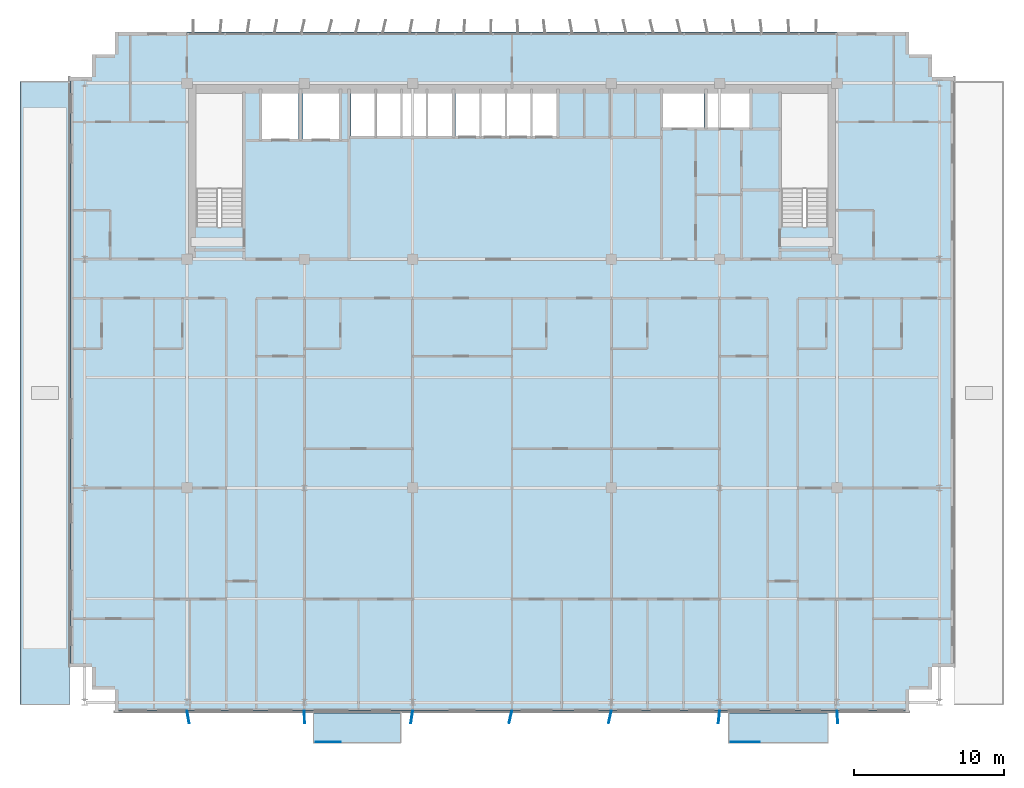
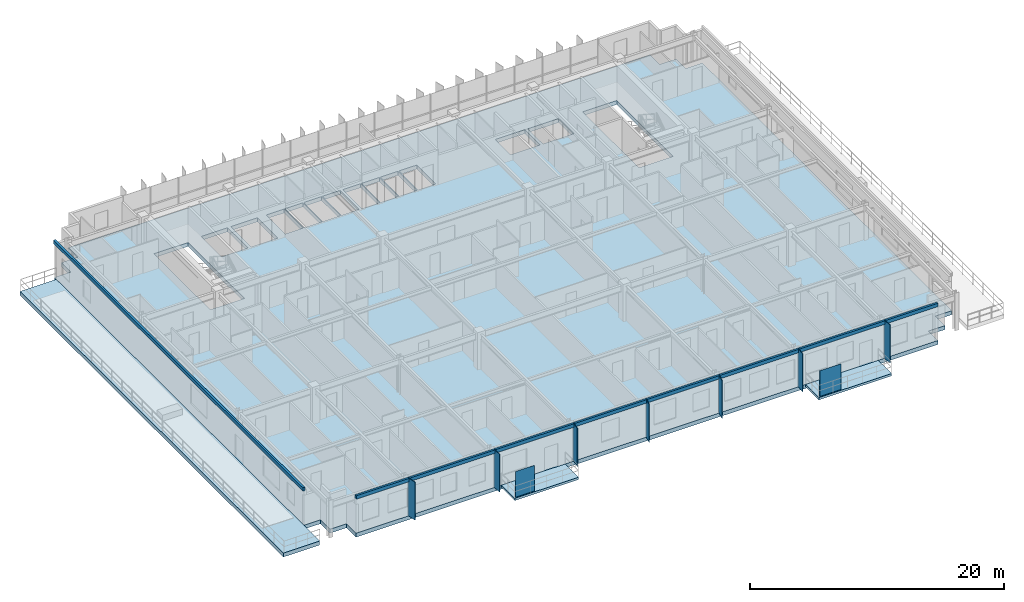
# One storey, part 12 of 22: 11 plates, 4 slabs.
"""IFC4 building model written with IfcOpenShell, lengths in metres."""

from ifc_helpers import new_model, si_unit, direction, frame, origin, origin_2d, place, context, subcontext, project, spatial, polyline, rectangle, outline, extrude, source, transform, mapped, material, layer, layer_set, type_object, element, save


model = new_model("IFC4")

# Units and contexts
model_context = context("Model", 3, precision=1e-05, world=origin(), true_north=direction((0.0, 1.0)))
body_context = subcontext(model_context, "Body", "Model", "MODEL_VIEW")
ifc_project = project(units=[si_unit("LENGTHUNIT", "METRE"), si_unit("AREAUNIT", "SQUARE_METRE"), si_unit("VOLUMEUNIT", "CUBIC_METRE"), si_unit("PLANEANGLEUNIT", "RADIAN"), si_unit("MASSUNIT", "GRAM", prefix="KILO")], contexts=[model_context])

# Site, building, storey
site_placement = place(None, origin())
site = spatial("IfcSite", under=ifc_project, at=site_placement, CompositionType="ELEMENT")
building_placement = place(site_placement, origin())
building = spatial("IfcBuilding", under=site, at=building_placement, Name="Trelvane Seafront Commons", CompositionType="ELEMENT")
storey_placement = place(building_placement, frame((0.0, 0.0, 132.10009765625)))
storey = spatial("IfcBuildingStorey", under=building, at=storey_placement, Name="L34", CompositionType="ELEMENT", Elevation=132.10009765625)

# Slabs
ifc_material_1 = material(Name="Concrete C40/50", Category="concrete")
ifc_layer_1 = layer(ifc_material_1, 0.219970703125, Name="ARCH-BALC-220")
ifc_layer_set_1 = layer_set([ifc_layer_1], Name="Concrete C40/50")
slab_type_1 = type_object("IfcSlabType", Name="ARCH-BALC-220", PredefinedType="FLOOR", material=ifc_layer_set_1)
slab_1_placement = place(storey_placement, frame((0.0, 0.0, -0.22021484375)))
element("IfcSlab", 1, at=slab_1_placement, inside=storey, type_object=slab_type_1, Name="L34 Cantilevered Tree Balcony Loggia 2", PredefinedType="FLOOR", context=body_context, shape_type="SweptSolid", body=[
    extrude(outline(polyline([(24.0, 1.199951171875), (29.800048828125, 1.199951171875), (29.800048828125, 3.300048828125), (24.0, 3.300048828125), (24.0, 1.199951171875)])), origin(), (0.0, 0.0, 1.0), 0.22021484375),
])
slab_2_placement = place(storey_placement, frame((0.0, 0.0, -0.22021484375)))
element("IfcSlab", 2, at=slab_2_placement, inside=storey, type_object=slab_type_1, Name="L34 Cantilevered Tree Balcony Loggia 3", PredefinedType="FLOOR", context=body_context, shape_type="SweptSolid", body=[
    extrude(outline(polyline([(51.60009765625, 1.199951171875), (58.199951171875, 1.199951171875), (58.199951171875, 3.300048828125), (51.60009765625, 3.300048828125), (51.60009765625, 1.199951171875)])), origin(), (0.0, 0.0, 1.0), 0.22021484375),
])
ifc_material_2 = material(Name="Concrete C60/75", Category="concrete")
ifc_layer_2 = layer(ifc_material_2, 0.3798828125, Name="STR-SLB-T380")
ifc_layer_set_2 = layer_set([ifc_layer_2], Name="Concrete C60/75")
slab_type_2 = type_object("IfcSlabType", Name="STR-SLB-T380", PredefinedType="FLOOR", material=ifc_layer_set_2)
slab_3_placement = place(storey_placement, frame((0.0, 0.0, -0.380126953125)))
element("IfcSlab", 3, at=slab_3_placement, inside=storey, type_object=slab_type_2, Name="L34 Structural Floor Slab", PredefinedType="FLOOR", context=body_context, shape_type="SweptSolid", body=[
    extrude(outline(polyline([(10.800048828125, 3.300048828125), (63.60009765625, 3.300048828125), (63.60009765625, 4.800048828125), (65.10009765625, 4.800048828125), (65.10009765625, 6.300048828125), (66.60009765625, 6.300048828125), (66.60009765625, 45.5), (65.10009765625, 45.5), (65.10009765625, 47.0), (63.60009765625, 47.0), (63.60009765625, 48.5), (10.800048828125, 48.5), (10.800048828125, 47.0), (9.300048828125, 47.0), (9.300048828125, 45.5), (7.800048828125, 45.5), (7.800048828125, 6.300048828125), (9.300048828125, 6.300048828125), (9.300048828125, 4.800048828125), (10.800048828125, 4.800048828125), (10.800048828125, 3.300048828125)]), holes=[polyline([(19.300048828125, 35.550048828125), (16.199951171875, 35.550048828125), (16.199951171875, 44.39990234375), (19.300048828125, 44.39990234375), (19.300048828125, 35.550048828125)]), polyline([(20.60009765625, 41.39990234375), (20.60009765625, 44.60009765625), (23.0, 44.60009765625), (23.0, 41.39990234375), (20.60009765625, 41.39990234375)]), polyline([(23.300048828125, 41.39990234375), (23.300048828125, 44.60009765625), (25.699951171875, 44.60009765625), (25.699951171875, 41.39990234375), (23.300048828125, 41.39990234375)]), polyline([(26.5, 41.60009765625), (26.5, 44.60009765625), (28.1201171875, 44.60009765625), (28.1201171875, 41.60009765625), (26.5, 41.60009765625)]), polyline([(28.199951171875, 41.60009765625), (28.199951171875, 44.60009765625), (29.820068359375, 44.60009765625), (29.820068359375, 41.60009765625), (28.199951171875, 41.60009765625)]), polyline([(29.89990234375, 41.60009765625), (29.89990234375, 44.60009765625), (31.52001953125, 44.60009765625), (31.52001953125, 41.60009765625), (29.89990234375, 41.60009765625)]), polyline([(31.60009765625, 41.60009765625), (31.60009765625, 44.60009765625), (33.219970703125, 44.60009765625), (33.219970703125, 41.60009765625), (31.60009765625, 41.60009765625)]), polyline([(58.199951171875, 35.550048828125), (55.10009765625, 35.550048828125), (55.10009765625, 44.39990234375), (58.199951171875, 44.39990234375), (58.199951171875, 35.550048828125)]), polyline([(33.449951171875, 41.60009765625), (33.449951171875, 44.60009765625), (35.070068359375, 44.60009765625), (35.070068359375, 41.60009765625), (33.449951171875, 41.60009765625)]), polyline([(35.14990234375, 41.60009765625), (35.14990234375, 44.60009765625), (36.77001953125, 44.60009765625), (36.77001953125, 41.60009765625), (35.14990234375, 41.60009765625)]), polyline([(36.85009765625, 41.60009765625), (36.85009765625, 44.60009765625), (38.469970703125, 44.60009765625), (38.469970703125, 41.60009765625), (36.85009765625, 41.60009765625)]), polyline([(38.550048828125, 41.60009765625), (38.550048828125, 44.60009765625), (40.169921875, 44.60009765625), (40.169921875, 41.60009765625), (38.550048828125, 41.60009765625)]), polyline([(47.25, 42.14990234375), (47.25, 44.550048828125), (49.949951171875, 44.550048828125), (49.949951171875, 42.14990234375), (47.25, 42.14990234375)]), polyline([(50.199951171875, 42.14990234375), (50.199951171875, 44.550048828125), (53.0, 44.550048828125), (53.0, 42.14990234375), (50.199951171875, 42.14990234375)])]), origin(), (0.0, 0.0, 1.0), 0.380126953125),
])
slab_4_placement = place(storey_placement, frame((0.0, 0.0, -0.380126953125)))
element("IfcSlab", 4, at=slab_4_placement, inside=storey, type_object=slab_type_2, Name="L34 Mid-Tower Setback Sky Terrace W", PredefinedType="FLOOR", context=body_context, shape_type="SweptSolid", body=[
    extrude(outline(polyline([(4.5, 3.800048828125), (7.800048828125, 3.800048828125), (7.800048828125, 45.199951171875), (4.5, 45.199951171875), (4.5, 3.800048828125)])), origin(), (0.0, 0.0, 1.0), 0.380126953125),
])

# Plates
ifc_material_3 = material(Name="Perforated anodised aluminium screen", Category="aluminium")
ifc_layer_3 = layer(ifc_material_3, 0.01611328125, Name="ARCH-PLATE-SCREEN")
ifc_layer_set_3 = layer_set([ifc_layer_3], Name="Perforated anodised aluminium screen")
plate_type_1 = type_object("IfcPlateType", Name="ARCH-PLATE-SCREEN", PredefinedType="USERDEFINED", material=ifc_layer_set_3)
shared_shape_1 = source(origin(), body_context, "Body", "SweptSolid", [
    extrude(rectangle(XDim=1.9140625, YDim=0.01611328125, at=origin_2d()), origin(), (0.0, 0.0, 1.0), 2.449951171875),
])
plate_1_placement = place(storey_placement, frame((52.70703125, 1.320068359375, 0.0), z_axis=(0.0, 0.0, 1.0), x_axis=(1.0, 0.0, 0.0)))
element("IfcPlate", 5, at=plate_1_placement, inside=storey, type_object=plate_type_1, Name="SCR-L34-00126", ObjectType="SCREEN", PredefinedType="USERDEFINED", context=body_context, shape_type="MappedRepresentation", body=[
    mapped(shared_shape_1, transform((0.0, 0.0, 0.0), x_axis=(1.0, 0.0, 0.0), y_axis=(0.0, 1.0, 0.0), z_axis=(0.0, 0.0, 1.0), scale=1.0)),
])
shared_shape_2 = source(origin(), body_context, "Body", "SweptSolid", [
    extrude(rectangle(XDim=1.681884765625, YDim=0.01611328125, at=origin_2d()), origin(), (0.0, 0.0, 1.0), 2.449951171875),
])
plate_2_placement = place(storey_placement, frame((24.990966796875, 1.320068359375, 0.0), z_axis=(0.0, 0.0, 1.0), x_axis=(1.0, 0.0, 0.0)))
element("IfcPlate", 6, at=plate_2_placement, inside=storey, type_object=plate_type_1, Name="SCR-L34-00125", ObjectType="SCREEN", PredefinedType="USERDEFINED", context=body_context, shape_type="MappedRepresentation", body=[
    mapped(shared_shape_2, transform((0.0, 0.0, 0.0), x_axis=(1.0, 0.0, 0.0), y_axis=(0.0, 1.0, 0.0), z_axis=(0.0, 0.0, 1.0), scale=1.0)),
])
ifc_material_4 = material(Name="Anodised pale-silver aluminium", Category="aluminium")
ifc_layer_4 = layer(ifc_material_4, 0.06005859375, Name="ARCH-PLATE-FIN900")
ifc_layer_set_4 = layer_set([ifc_layer_4], Name="Anodised pale-silver aluminium")
plate_type_2 = type_object("IfcPlateType", Name="ARCH-PLATE-FIN900", PredefinedType="USERDEFINED", material=ifc_layer_set_4)
shared_shape_3 = source(origin(), body_context, "Body", "SweptSolid", [
    extrude(rectangle(XDim=0.85009765625, YDim=0.06005859375, at=origin_2d()), origin(), (0.0, 0.0, 1.0), 3.639892578125),
])
for number, where, z_axis, x_axis, name in (
    (7, (15.67236328125, 2.981201171875, -0.02001953125), (0.0, 0.0, 1.0), (0.17000483201, -0.985443228752, 0.0), "FIN-S-L34-00930"),
    (8, (23.40771484375, 2.97509765625, -0.02001953125), (0.0, 0.0, 1.0), (0.018117271696, -0.999835868764, 0.0), "FIN-S-L34-00931"),
    (9, (30.539306640625, 2.9794921875, -0.02001953125), (0.0, 0.0, 1.0), (-0.142706670109, -0.989765025805, 0.0), "FIN-S-L34-00932"),
    (10, (37.10009765625, 2.98681640625, -0.02001953125), (0.0, 0.0, 1.0), (-0.234831661384, -0.972036054276, 0.0), "FIN-S-L34-00933"),
    (11, (43.70751953125, 2.985107421875, -0.02001953125), (0.0, 0.0, 1.0), (-0.21765266459, -0.976026289398, 0.0), "FIN-S-L34-00934"),
    (12, (50.958251953125, 2.97705078125, -0.02001953125), (0.0, 0.0, 1.0), (-0.098466993879, -0.9951403173, 0.0), "FIN-S-L34-00935"),
    (13, (58.8291015625, 2.97607421875, -0.02001953125), (0.0, 0.0, 1.0), (0.068471500878, -0.99765307275, 0.0), "FIN-S-L34-00936"),
):
    element("IfcPlate", number, at=place(storey_placement, frame(where, z_axis=z_axis, x_axis=x_axis)), inside=storey, type_object=plate_type_2, Name=name, ObjectType="FIN", PredefinedType="USERDEFINED", context=body_context, shape_type="MappedRepresentation", body=[
        mapped(shared_shape_3, transform((0.0, 0.0, 0.0), x_axis=(1.0, 0.0, 0.0), y_axis=(0.0, 1.0, 0.0), z_axis=(0.0, 0.0, 1.0), scale=1.0)),
    ])
ifc_layer_5 = layer(ifc_material_4, 0.179931640625, Name="ARCH-PLATE-AERO")
ifc_layer_set_5 = layer_set([ifc_layer_5], Name="Anodised pale-silver aluminium")
plate_type_3 = type_object("IfcPlateType", Name="ARCH-PLATE-AERO", PredefinedType="SHEET", material=ifc_layer_set_5)
shared_shape_4 = source(origin(), body_context, "Body", "SweptSolid", [
    extrude(rectangle(XDim=39.199951171875, YDim=0.179931640625, at=origin_2d()), origin(), (0.0, 0.0, 1.0), 0.330078125),
])
plate_3_placement = place(storey_placement, frame((7.800048828125, 25.89990234375, 3.289794921875), z_axis=(0.0, 0.0, 1.0), x_axis=(0.0, 1.0, 0.0)))
element("IfcPlate", 14, at=plate_3_placement, inside=storey, type_object=plate_type_3, Name="AER-L34-00123", PredefinedType="SHEET", context=body_context, shape_type="MappedRepresentation", body=[
    mapped(shared_shape_4, transform((0.0, 0.0, 0.0), x_axis=(1.0, 0.0, 0.0), y_axis=(0.0, 1.0, 0.0), z_axis=(0.0, 0.0, 1.0), scale=1.0)),
])
shared_shape_5 = source(origin(), body_context, "Body", "SweptSolid", [
    extrude(rectangle(XDim=52.800048828125, YDim=0.179931640625, at=origin_2d()), origin(), (0.0, 0.0, 1.0), 0.330078125),
])
plate_4_placement = place(storey_placement, frame((37.199951171875, 3.340087890625, 3.289794921875), z_axis=(0.0, 0.0, 1.0), x_axis=(-1.0, 0.0, 0.0)))
element("IfcPlate", 15, at=plate_4_placement, inside=storey, type_object=plate_type_3, Name="AER-S-L34-00127", PredefinedType="SHEET", context=body_context, shape_type="MappedRepresentation", body=[
    mapped(shared_shape_5, transform((0.0, 0.0, 0.0), x_axis=(1.0, 0.0, 0.0), y_axis=(0.0, 1.0, 0.0), z_axis=(0.0, 0.0, 1.0), scale=1.0)),
])

save(model, "model.ifc")
